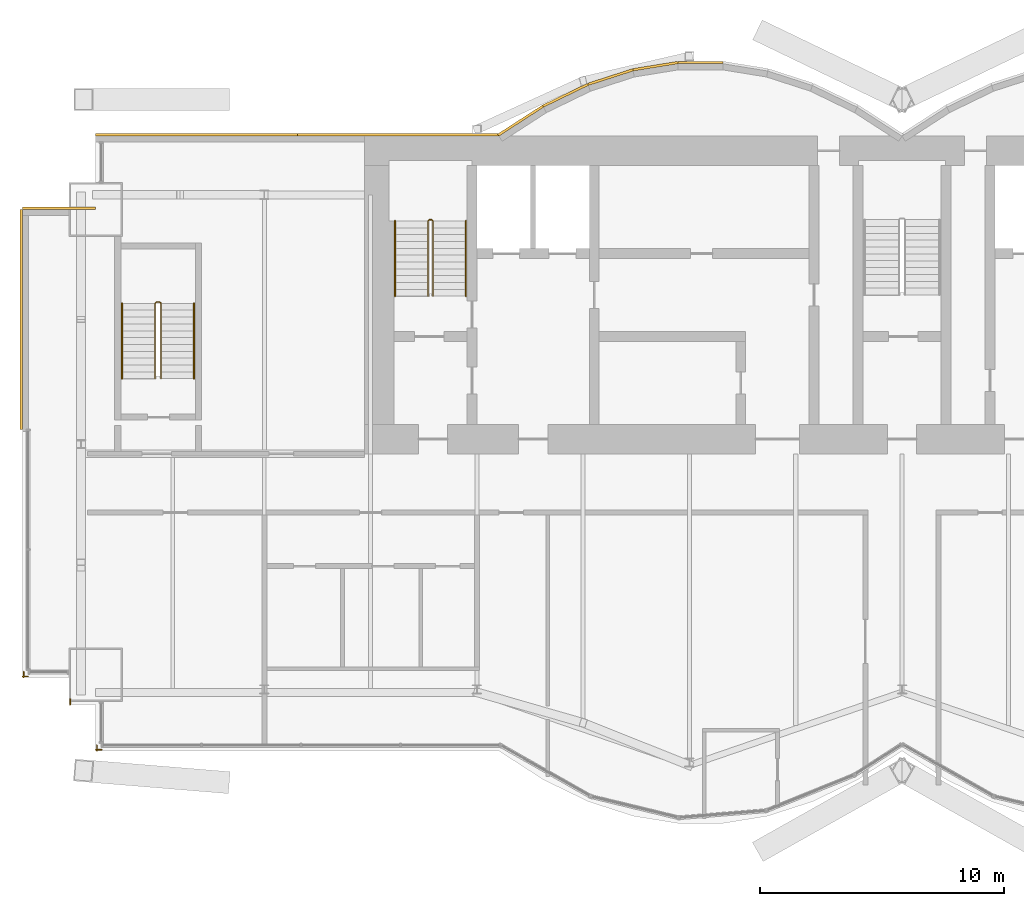
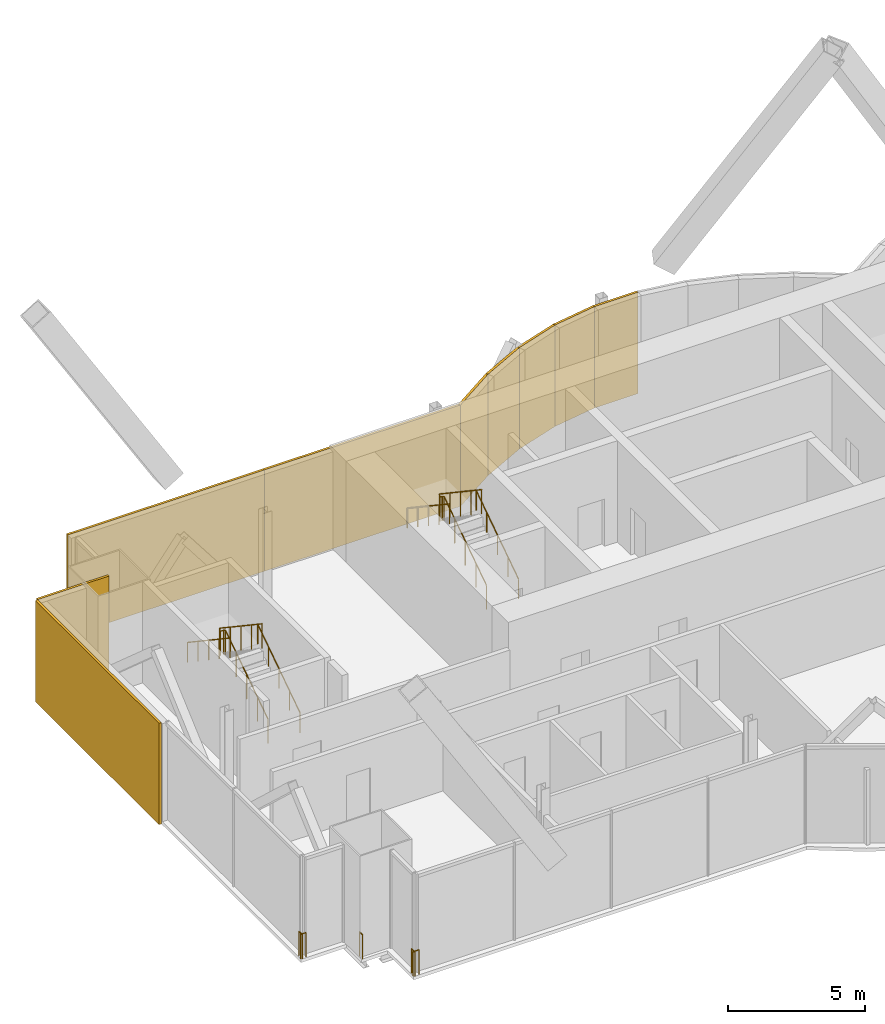
# One storey, part 15 of 17: 9 coverings, 9 railings.
"""IFC4 building model written with IfcOpenShell, lengths in metres."""

import ifcopenshell
import ifcopenshell.guid

model = None  # the IFC model being written
_history = None  # IfcOwnerHistory: only IFC2X3 demands one
_inside = {}  # id of a spatial element -> (the spatial element, [elements in it])
_under = {}  # id of a project, library or spatial element -> (it, [spatial elements below it])
_declared = {}  # id of a project -> (the project, [libraries it declares])
_typed = {}  # id of a type object -> (the type object, [elements of that type])
_made_of = {}  # id of a material, layer set ... -> (it, [elements and type objects made of it])


def new_model(schema):
    """Start an empty IFC model of exactly this schema.

    Asked for "IFC4X3", IfcOpenShell would pick the latest addendum, in which some entities
    have other attributes; the version numbers below select the first issue.
    IFC2X3 requires an IfcOwnerHistory on every rooted entity: one is made here for all.
    """
    global model, _history
    if schema == "IFC4X3":
        model = ifcopenshell.file(schema_version=(4, 3, 0, 0))
    else:
        model = ifcopenshell.file(schema=schema)
    _inside.clear()
    _under.clear()
    _declared.clear()
    _typed.clear()
    _made_of.clear()
    _history = None
    if model.schema == "IFC2X3":
        org = make("IfcOrganization", Name="unknown")
        user = make(
            "IfcPersonAndOrganization",
            ThePerson=make("IfcPerson", FamilyName="unknown"),
            TheOrganization=org,
        )
        app = make(
            "IfcApplication",
            ApplicationDeveloper=org,
            Version="unknown",
            ApplicationFullName="unknown",
            ApplicationIdentifier="unknown",
        )
        _history = make(
            "IfcOwnerHistory",
            OwningUser=user,
            OwningApplication=app,
            ChangeAction="ADDED",
            CreationDate=0,
        )
    return model


def make(cls, **values):
    """One entity of the class cls with the attributes given. An attribute that is None is left unset."""
    return model.create_entity(
        cls, **{name: value for name, value in values.items() if value is not None}
    )


def rooted(cls, **values):
    """An entity with a GlobalId (a new one), such as an element, a storey or a relation."""
    return make(cls, GlobalId=ifcopenshell.guid.new(), OwnerHistory=_history, **values)


def si_unit(unit_type, name, prefix=None):
    """IfcSIUnit, for example si_unit("LENGTHUNIT", "METRE", prefix="MILLI")."""
    return make("IfcSIUnit", UnitType=unit_type, Prefix=prefix, Name=name)


def assignment(units):
    """IfcUnitAssignment: the units of a project."""
    return None if units is None else make("IfcUnitAssignment", Units=units)


def point(xyz):
    """IfcCartesianPoint."""
    return None if xyz is None else make("IfcCartesianPoint", Coordinates=xyz)


def direction(xyz):
    """IfcDirection."""
    return None if xyz is None else make("IfcDirection", DirectionRatios=xyz)


def frame(location, z_axis=None, x_axis=None):
    """IfcAxis2Placement3D, a coordinate frame: its origin and axes. An axis left out is left unset."""
    return make(
        "IfcAxis2Placement3D",
        Location=point(location),
        Axis=direction(z_axis),
        RefDirection=direction(x_axis),
    )


def frame_2d(location, x_axis=None):
    """IfcAxis2Placement2D, a coordinate frame in the plane: its origin and x axis."""
    return make(
        "IfcAxis2Placement2D", Location=point(location), RefDirection=direction(x_axis)
    )


def origin():
    """The frame at (0, 0, 0) with its axes left unset."""
    return frame((0.0, 0.0, 0.0))


def origin_2d():
    """The frame at (0, 0) in the plane with its x axis left unset."""
    return frame_2d((0.0, 0.0))


def place(relative_to, where):
    """IfcLocalPlacement: puts the frame where relative to a parent placement (None: the world)."""
    return make(
        "IfcLocalPlacement", PlacementRelTo=relative_to, RelativePlacement=where
    )


def context(
    kind, dimensions, precision=None, world=None, true_north=None, identifier=None
):
    """IfcGeometricRepresentationContext, for example the 3D "Model" context."""
    return make(
        "IfcGeometricRepresentationContext",
        ContextIdentifier=identifier,
        ContextType=kind,
        CoordinateSpaceDimension=dimensions,
        Precision=precision,
        WorldCoordinateSystem=world,
        TrueNorth=true_north,
    )


def subcontext(parent, identifier, kind, view, scale=None):
    """IfcGeometricRepresentationSubContext, for example "Body" below "Model"."""
    return make(
        "IfcGeometricRepresentationSubContext",
        ContextIdentifier=identifier,
        ContextType=kind,
        ParentContext=parent,
        TargetScale=scale,
        TargetView=view,
    )


def project(units=None, contexts=None):
    """IfcProject with its units and contexts."""
    return rooted(
        "IfcProject",
        Name="project",
        RepresentationContexts=contexts,
        UnitsInContext=assignment(units),
    )


def spatial(cls, under=None, at=None, **own):
    """A site, building, storey or space (cls), placed at a placement, below another one or the project."""
    s = rooted(cls, ObjectPlacement=at, **own)
    if under is not None:
        _under.setdefault(under.id(), (under, []))[1].append(s)
    return s


def profile(cls, at=None, kind="AREA", **sizes):
    """A parametric profile (cls). Its sizes go by their IFC names, for example OverallWidth=200.0."""
    return make(cls, ProfileType=kind, Position=at, **sizes)


def rectangle(**sizes):
    """IfcRectangleProfileDef."""
    return profile("IfcRectangleProfileDef", **sizes)


def circle(**sizes):
    """IfcCircleProfileDef."""
    return profile("IfcCircleProfileDef", **sizes)


def extrude(swept, where, along, depth):
    """IfcExtrudedAreaSolid: the profile swept, set in the frame where, extruded along a direction by depth."""
    return make(
        "IfcExtrudedAreaSolid",
        SweptArea=swept,
        Position=where,
        ExtrudedDirection=direction(along),
        Depth=depth,
    )


def shape(context_of_items, identifier, shape_type, items):
    """IfcShapeRepresentation: the items that make up one representation, for example the "Body"."""
    return make(
        "IfcShapeRepresentation",
        ContextOfItems=context_of_items,
        RepresentationIdentifier=identifier,
        RepresentationType=shape_type,
        Items=items,
    )


def material(Name=None, Category=None):
    """IfcMaterial."""
    return make("IfcMaterial", Name=Name, Category=Category)


def layer(
    of_material, thickness, ventilated=None, Name=None, Category=None, Priority=None
):
    """IfcMaterialLayer: one layer of a wall or slab, of a material (None: an air gap)."""
    return make(
        "IfcMaterialLayer",
        Material=of_material,
        LayerThickness=thickness,
        IsVentilated=ventilated,
        Name=Name,
        Category=Category,
        Priority=Priority,
    )


def layer_set(layers, Name=None):
    """IfcMaterialLayerSet."""
    return make("IfcMaterialLayerSet", MaterialLayers=layers, LayerSetName=Name)


def made_of(thing, what):
    """Note that an element or type object is made of a material, layer set ...; save() writes the relation."""
    if what is not None:
        _made_of.setdefault(what.id(), (what, []))[1].append(thing)
    return thing


def type_object(cls, material=None, **own):
    """A type object (cls), such as IfcWallType, which elements share."""
    return made_of(rooted(cls, **own), material)


def element(
    cls,
    number,
    at=None,
    inside=None,
    cuts=None,
    type_object=None,
    material=None,
    context=None,
    identifier="Body",
    shape_type=None,
    held_by="IfcProductDefinitionShape",
    body=None,
    shapes=None,
    **own,
):
    """One element of the class cls, such as IfcWall. Its Tag is "e" and its number.

    at: its placement. inside: the storey or other place that contains it. cuts: it is an
    opening in that element (IfcRelVoidsElement). A single representation is given by context,
    identifier, shape_type and body (its items); several are given by shapes. held_by: the class
    of the entity that holds the representations. save() writes the other relations.
    """
    e = rooted(cls, Tag="e%d" % number, ObjectPlacement=at, **own)
    if body is not None:
        shapes = [shape(context, identifier, shape_type, body)]
    if shapes is not None:
        e.Representation = make(held_by, Representations=shapes)
    if inside is not None:
        _inside.setdefault(inside.id(), (inside, []))[1].append(e)
    if cuts is not None:
        rooted(
            "IfcRelVoidsElement", RelatingBuildingElement=cuts, RelatedOpeningElement=e
        )
    if type_object is not None:
        _typed.setdefault(type_object.id(), (type_object, []))[1].append(e)
    return made_of(e, material)


def aggregate(whole, parts):
    """IfcRelAggregates: a whole, such as a stair, and the parts it consists of."""
    return rooted("IfcRelAggregates", RelatingObject=whole, RelatedObjects=parts)


def save(model, path):
    """Write the relations noted so far, then the file.

    IfcRelAggregates (storeys below a building ...), IfcRelContainedInSpatialStructure (elements
    in a storey), IfcRelDefinesByType, IfcRelAssociatesMaterial and IfcRelDeclares: one each for
    every whole, place, type object, material and project.
    """
    for whole, parts in _under.values():
        aggregate(whole, parts)
    for where, things in _inside.values():
        rooted(
            "IfcRelContainedInSpatialStructure",
            RelatedElements=things,
            RelatingStructure=where,
        )
    for kind, things in _typed.values():
        rooted("IfcRelDefinesByType", RelatedObjects=things, RelatingType=kind)
    for what, things in _made_of.values():
        rooted("IfcRelAssociatesMaterial", RelatedObjects=things, RelatingMaterial=what)
    for by, libraries in _declared.values():
        rooted("IfcRelDeclares", RelatingContext=by, RelatedDefinitions=libraries)
    model.write(path)


model = new_model("IFC4")

# Units and contexts
model_context = context("Model", 3, precision=1e-05, world=origin(), true_north=direction((0.0, 1.0)))
body_context = subcontext(model_context, "Body", "Model", "MODEL_VIEW")
ifc_project = project(units=[si_unit("LENGTHUNIT", "METRE"), si_unit("AREAUNIT", "SQUARE_METRE"), si_unit("VOLUMEUNIT", "CUBIC_METRE"), si_unit("PLANEANGLEUNIT", "RADIAN"), si_unit("MASSUNIT", "GRAM", prefix="KILO")], contexts=[model_context])

# Site, building, storey
site_placement = place(None, origin())
site = spatial("IfcSite", under=ifc_project, at=site_placement, CompositionType="ELEMENT")
building_placement = place(site_placement, origin())
building = spatial("IfcBuilding", under=site, at=building_placement, Name="Bicima Exchange Tower", CompositionType="ELEMENT")
storey_placement = place(building_placement, frame((0.0, 0.0, 333.5)))
storey = spatial("IfcBuildingStorey", under=building, at=storey_placement, Name="L75", CompositionType="ELEMENT", Elevation=333.5)

# Coverings
ifc_material_1 = material(Name="Bronze metal cladding")
ifc_layer_1 = layer(ifc_material_1, 0.004)
ifc_material_2 = material(Name="Ventilated cavity")
ifc_layer_2 = layer(ifc_material_2, 0.06)
ifc_material_3 = material(Name="Galvanised steel rail and mineral wool", Category="steel")
ifc_layer_3 = layer(ifc_material_3, 0.036)
ifc_layer_set = layer_set([ifc_layer_1, ifc_layer_2, ifc_layer_3], Name="Ventilated cavity")
covering_type = type_object("IfcCoveringType", Name="Bronze metal cladding panel 100", PredefinedType="CLADDING", material=ifc_layer_set)
covering_1_placement = place(storey_placement, frame((-8.25, 3.012939453125, -0.14990234375), z_axis=(0.0, 0.0, 1.0), x_axis=(-1.0, 0.0, 0.0)))
element("IfcCovering", 1, at=covering_1_placement, inside=storey, type_object=covering_type, Name="Bronze cladding L75 15.1", PredefinedType="CLADDING", context=body_context, shape_type="SweptSolid", body=[
    extrude(rectangle(XDim=1.83349609375, YDim=0.10009765625, at=origin_2d()), origin(), (0.0, 0.0, 1.0), 4.5),
])
covering_2_placement = place(storey_placement, frame((-10.09130859375, 2.8642578125, -0.14990234375), z_axis=(0.0, 0.0, 1.0), x_axis=(-0.987189786347, -0.159550386184, 0.0)))
element("IfcCovering", 2, at=covering_2_placement, inside=storey, type_object=covering_type, Name="Bronze cladding L75 16.1", PredefinedType="CLADDING", context=body_context, shape_type="SweptSolid", body=[
    extrude(rectangle(XDim=1.857177734375, YDim=0.10009765625, at=origin_2d()), origin(), (0.0, 0.0, 1.0), 4.5),
])
covering_3_placement = place(storey_placement, frame((-11.931884765625, 2.41796875, -0.14990234375), z_axis=(0.0, 0.0, 1.0), x_axis=(-0.951524642381, -0.307572519808, 0.0)))
element("IfcCovering", 3, at=covering_3_placement, inside=storey, type_object=covering_type, Name="Bronze cladding L75 17.1", PredefinedType="CLADDING", context=body_context, shape_type="SweptSolid", body=[
    extrude(rectangle(XDim=1.9267578125, YDim=0.10009765625, at=origin_2d()), origin(), (0.0, 0.0, 1.0), 4.5),
])
covering_4_placement = place(storey_placement, frame((-13.771728515625, 1.674560546875, -0.14990234375), z_axis=(0.0, 0.0, 1.0), x_axis=(-0.899818346812, -0.436264762204, 0.0)))
element("IfcCovering", 4, at=covering_4_placement, inside=storey, type_object=covering_type, Name="Bronze cladding L75 18.1", PredefinedType="CLADDING", context=body_context, shape_type="SweptSolid", body=[
    extrude(rectangle(XDim=2.03759765625, YDim=0.10009765625, at=origin_2d()), origin(), (0.0, 0.0, 1.0), 4.5),
])
covering_5_placement = place(storey_placement, frame((-15.610595703125, 0.634521484375, -0.14990234375), z_axis=(0.0, 0.0, 1.0), x_axis=(-0.839790466384, -0.542910648791, 0.0)))
element("IfcCovering", 5, at=covering_5_placement, inside=storey, type_object=covering_type, Name="Bronze cladding L75 19.1", PredefinedType="CLADDING", context=body_context, shape_type="SweptSolid", body=[
    extrude(rectangle(XDim=2.18310546875, YDim=0.10009765625, at=origin_2d()), origin(), (0.0, 0.0, 1.0), 4.5),
])
for number, where, z_axis, x_axis, name in (
    (6, (-20.625, 0.050048828125, -0.14990234375), (0.0, 0.0, 1.0), (-1.0, 0.0, 0.0), "Bronze cladding L75 20.1"),
    (7, (-28.875, 0.050048828125, -0.14990234375), (0.0, 0.0, 1.0), (-1.0, 0.0, 0.0), "Bronze cladding L75 20.2"),
):
    element("IfcCovering", number, at=place(storey_placement, frame(where, z_axis=z_axis, x_axis=x_axis)), inside=storey, type_object=covering_type, Name=name, PredefinedType="CLADDING", context=body_context, shape_type="SweptSolid", body=[
        extrude(rectangle(XDim=8.25, YDim=0.10009765625, at=origin_2d()), origin(), (0.0, 0.0, 1.0), 4.5),
    ])
covering_6_placement = place(storey_placement, frame((-34.5, -2.949951171875, -0.14990234375), z_axis=(0.0, 0.0, 1.0), x_axis=(-1.0, 0.0, 0.0)))
element("IfcCovering", 8, at=covering_6_placement, inside=storey, type_object=covering_type, Name="Bronze cladding L75 22.1", PredefinedType="CLADDING", context=body_context, shape_type="SweptSolid", body=[
    extrude(rectangle(XDim=3.0, YDim=0.10009765625, at=origin_2d()), origin(), (0.0, 0.0, 1.0), 4.5),
])
covering_7_placement = place(storey_placement, frame((-36.050048828125, -7.5, -0.14990234375), z_axis=(0.0, 0.0, 1.0), x_axis=(0.0, -1.0, 0.0)))
element("IfcCovering", 9, at=covering_7_placement, inside=storey, type_object=covering_type, Name="Bronze cladding L75 23.1", PredefinedType="CLADDING", context=body_context, shape_type="SweptSolid", body=[
    extrude(rectangle(XDim=9.0, YDim=0.10009765625, at=origin_2d()), origin(), (0.0, 0.0, 1.0), 4.5),
])

# Railings
ifc_material_4 = material(Name="Stainless steel and bonded safety glass", Category="steel")
railing_type_1 = type_object("IfcRailingType", Name="Edge guard 1100", PredefinedType="GUARDRAIL", material=ifc_material_4)
railing_1_placement = place(storey_placement, frame((-35.762939453125, -22.114013671875, 0.0)))
element("IfcRailing", 10, at=railing_1_placement, inside=storey, type_object=railing_type_1, Name="Edge guard L75 391", PredefinedType="GUARDRAIL", context=body_context, shape_type="SweptSolid", body=[
    extrude(circle(Radius=0.02392578125, at=origin_2d()), frame((0.0, 0.0, 1.076171875), z_axis=(-1.0, 0.0, 0.0), x_axis=(0.0, -1.0, 0.0)), (0.0, 0.0, 1.0), 0.237060546875),
    extrude(circle(Radius=0.02392578125, at=origin_2d()), frame((-0.237060546875, 0.0, 1.076171875), z_axis=(0.707106781187, -0.707106781187, 0.0), x_axis=(0.707106781187, 0.707106781187, 0.0)), (0.0, 0.0, 1.0), 0.07080078125),
    extrude(circle(Radius=0.02392578125, at=origin_2d()), frame((-0.18701171875, -0.050048828125, 1.076171875), z_axis=(0.0, 1.0, 0.0), x_axis=(-1.0, 0.0, 0.0)), (0.0, 0.0, 1.0), 0.2490234375),
    extrude(circle(Radius=0.02099609375, at=origin_2d()), origin(), (0.0, 0.0, 1.0), 1.052001953125),
    extrude(circle(Radius=0.02099609375, at=origin_2d()), frame((-0.237060546875, 0.0, 0.0)), (0.0, 0.0, 1.0), 1.052001953125),
    extrude(circle(Radius=0.02099609375, at=origin_2d()), frame((-0.18701171875, -0.050048828125, 0.0)), (0.0, 0.0, 1.0), 1.052001953125),
    extrude(circle(Radius=0.02099609375, at=origin_2d()), frame((-0.18701171875, 0.198974609375, 0.0)), (0.0, 0.0, 1.0), 1.052001953125),
])
railing_2_placement = place(storey_placement, frame((-32.75, -25.114013671875, 0.0)))
element("IfcRailing", 11, at=railing_2_placement, inside=storey, type_object=railing_type_1, Name="Edge guard L75 395", PredefinedType="GUARDRAIL", context=body_context, shape_type="SweptSolid", body=[
    extrude(circle(Radius=0.02392578125, at=origin_2d()), frame((0.0, 0.0, 1.076171875), z_axis=(-1.0, 0.0, 0.0), x_axis=(0.0, -1.0, 0.0)), (0.0, 0.0, 1.0), 0.25),
    extrude(circle(Radius=0.02392578125, at=origin_2d()), frame((-0.25, 0.0, 1.076171875), z_axis=(0.707106781187, -0.707106781187, 0.0), x_axis=(0.707106781187, 0.707106781187, 0.0)), (0.0, 0.0, 1.0), 0.07080078125),
    extrude(circle(Radius=0.02392578125, at=origin_2d()), frame((-0.199951171875, -0.050048828125, 1.076171875), z_axis=(0.0, 1.0, 0.0), x_axis=(-1.0, 0.0, 0.0)), (0.0, 0.0, 1.0), 0.237060546875),
    extrude(circle(Radius=0.02099609375, at=origin_2d()), origin(), (0.0, 0.0, 1.0), 1.052001953125),
    extrude(circle(Radius=0.02099609375, at=origin_2d()), frame((-0.25, 0.0, 0.0)), (0.0, 0.0, 1.0), 1.052001953125),
    extrude(circle(Radius=0.02099609375, at=origin_2d()), frame((-0.199951171875, -0.050048828125, 0.0)), (0.0, 0.0, 1.0), 1.052001953125),
    extrude(circle(Radius=0.02099609375, at=origin_2d()), frame((-0.199951171875, 0.18701171875, 0.0)), (0.0, 0.0, 1.0), 1.052001953125),
])
railing_3_placement = place(storey_placement, frame((-34.050048828125, -23.263916015625, 0.0)))
element("IfcRailing", 12, at=railing_3_placement, inside=storey, type_object=railing_type_1, Name="Edge guard L75 396", PredefinedType="GUARDRAIL", context=body_context, shape_type="SweptSolid", body=[
    extrude(circle(Radius=0.02392578125, at=origin_2d()), frame((0.0, 0.0, 1.076171875), z_axis=(0.0, 1.0, 0.0), x_axis=(-1.0, 0.0, 0.0)), (0.0, 0.0, 1.0), 0.219970703125),
    extrude(circle(Radius=0.02099609375, at=origin_2d()), origin(), (0.0, 0.0, 1.0), 1.052001953125),
    extrude(circle(Radius=0.02099609375, at=origin_2d()), frame((0.0, 0.219970703125, 0.0)), (0.0, 0.0, 1.0), 1.052001953125),
])
ifc_material_5 = material(Name="Stainless steel", Category="steel")
railing_type_2 = type_object("IfcRailingType", Name="Stair guard 1100", PredefinedType="GUARDRAIL", material=ifc_material_5)
railing_4_placement = place(storey_placement, frame((-19.199951171875, -6.550048828125, 0.1875)))
element("IfcRailing", 13, at=railing_4_placement, inside=storey, type_object=railing_type_2, Name="L75 ST-W stair guard 1", PredefinedType="GUARDRAIL", context=body_context, shape_type="SweptSolid", body=[
    extrude(circle(Radius=0.02392578125, at=origin_2d()), frame((0.0, 0.0, 1.076171875), z_axis=(0.0, 0.830913701846, 0.55640131208), x_axis=(-1.0, 0.0, 0.0)), (0.0, 0.0, 1.0), 3.706787109375),
    extrude(circle(Radius=0.02392578125, at=origin_2d()), frame((0.0, 3.080078125, 3.138671875), z_axis=(-0.707106781187, 0.707106781187, 0.0), x_axis=(-0.707106781187, -0.707106781187, 0.0)), (0.0, 0.0, 1.0), 0.07080078125),
    extrude(circle(Radius=0.02392578125, at=origin_2d()), frame((-0.050048828125, 3.130126953125, 3.138671875), z_axis=(-1.0, 0.0, 0.0), x_axis=(0.0, -1.0, 0.0)), (0.0, 0.0, 1.0), 0.10009765625),
    extrude(circle(Radius=0.02392578125, at=origin_2d()), frame((-0.150146484375, 3.130126953125, 3.138671875), z_axis=(-0.248583702486, -0.249802250048, 0.935844527007), x_axis=(0.708833529934, -0.705375805398, 0.0)), (0.0, 0.0, 1.0), 0.200439453125),
    extrude(circle(Radius=0.02392578125, at=origin_2d()), frame((-0.199951171875, 3.080078125, 3.326171875), z_axis=(0.0, -0.830913701846, 0.55640131208), x_axis=(1.0, 0.0, 0.0)), (0.0, 0.0, 1.0), 3.706787109375),
    extrude(circle(Radius=0.02099609375, at=origin_2d()), origin(), (0.0, 0.0, 1.0), 1.052001953125),
    extrude(circle(Radius=0.02099609375, at=origin_2d()), frame((0.0, 0.77001953125, 0.515625)), (0.0, 0.0, 1.0), 1.052001953125),
    extrude(circle(Radius=0.02099609375, at=origin_2d()), frame((0.0, 1.5400390625, 1.03125)), (0.0, 0.0, 1.0), 1.052001953125),
    extrude(circle(Radius=0.02099609375, at=origin_2d()), frame((0.0, 2.31005859375, 1.546875)), (0.0, 0.0, 1.0), 1.052001953125),
    extrude(circle(Radius=0.02099609375, at=origin_2d()), frame((0.0, 3.080078125, 2.0625)), (0.0, 0.0, 1.0), 1.052001953125),
    extrude(circle(Radius=0.02099609375, at=origin_2d()), frame((-0.050048828125, 3.130126953125, 2.0625)), (0.0, 0.0, 1.0), 1.052001953125),
    extrude(circle(Radius=0.02099609375, at=origin_2d()), frame((-0.150146484375, 3.130126953125, 2.0625)), (0.0, 0.0, 1.0), 1.052001953125),
    extrude(circle(Radius=0.02099609375, at=origin_2d()), frame((-0.199951171875, 3.080078125, 2.25)), (0.0, 0.0, 1.0), 1.052001953125),
    extrude(circle(Radius=0.02099609375, at=origin_2d()), frame((-0.199951171875, 2.31005859375, 2.765625)), (0.0, 0.0, 1.0), 1.052001953125),
    extrude(circle(Radius=0.02099609375, at=origin_2d()), frame((-0.199951171875, 1.5400390625, 3.28125)), (0.0, 0.0, 1.0), 1.052001953125),
    extrude(circle(Radius=0.02099609375, at=origin_2d()), frame((-0.199951171875, 0.77001953125, 3.796875)), (0.0, 0.0, 1.0), 1.052001953125),
    extrude(circle(Radius=0.02099609375, at=origin_2d()), frame((-0.199951171875, 0.0, 4.3125)), (0.0, 0.0, 1.0), 1.052001953125),
])
railing_5_placement = place(storey_placement, frame((-30.324951171875, -9.925048828125, 0.1875)))
element("IfcRailing", 14, at=railing_5_placement, inside=storey, type_object=railing_type_2, Name="L75 ST-WW stair guard 1", PredefinedType="GUARDRAIL", context=body_context, shape_type="SweptSolid", body=[
    extrude(circle(Radius=0.02392578125, at=origin_2d()), frame((0.0, 0.0, 1.076171875), z_axis=(0.0, 0.830913701846, 0.55640131208), x_axis=(-1.0, 0.0, 0.0)), (0.0, 0.0, 1.0), 3.706787109375),
    extrude(circle(Radius=0.02392578125, at=origin_2d()), frame((0.0, 3.080078125, 3.138671875), z_axis=(-0.707106781187, 0.707106781187, 0.0), x_axis=(-0.707106781187, -0.707106781187, 0.0)), (0.0, 0.0, 1.0), 0.07080078125),
    extrude(circle(Radius=0.02392578125, at=origin_2d()), frame((-0.050048828125, 3.130126953125, 3.138671875), z_axis=(-1.0, 0.0, 0.0), x_axis=(0.0, -1.0, 0.0)), (0.0, 0.0, 1.0), 0.14990234375),
    extrude(circle(Radius=0.02392578125, at=origin_2d()), frame((-0.199951171875, 3.130126953125, 3.138671875), z_axis=(-0.249726431254, -0.249726431254, 0.935560483917), x_axis=(0.707106781187, -0.707106781187, 0.0)), (0.0, 0.0, 1.0), 0.200439453125),
    extrude(circle(Radius=0.02392578125, at=origin_2d()), frame((-0.25, 3.080078125, 3.326171875), z_axis=(0.0, -0.830913701846, 0.55640131208), x_axis=(1.0, 0.0, 0.0)), (0.0, 0.0, 1.0), 3.706787109375),
    extrude(circle(Radius=0.02099609375, at=origin_2d()), origin(), (0.0, 0.0, 1.0), 1.052001953125),
    extrude(circle(Radius=0.02099609375, at=origin_2d()), frame((0.0, 0.77001953125, 0.515625)), (0.0, 0.0, 1.0), 1.052001953125),
    extrude(circle(Radius=0.02099609375, at=origin_2d()), frame((0.0, 1.5400390625, 1.03125)), (0.0, 0.0, 1.0), 1.052001953125),
    extrude(circle(Radius=0.02099609375, at=origin_2d()), frame((0.0, 2.31005859375, 1.546875)), (0.0, 0.0, 1.0), 1.052001953125),
    extrude(circle(Radius=0.02099609375, at=origin_2d()), frame((0.0, 3.080078125, 2.0625)), (0.0, 0.0, 1.0), 1.052001953125),
    extrude(circle(Radius=0.02099609375, at=origin_2d()), frame((-0.050048828125, 3.130126953125, 2.0625)), (0.0, 0.0, 1.0), 1.052001953125),
    extrude(circle(Radius=0.02099609375, at=origin_2d()), frame((-0.199951171875, 3.130126953125, 2.0625)), (0.0, 0.0, 1.0), 1.052001953125),
    extrude(circle(Radius=0.02099609375, at=origin_2d()), frame((-0.25, 3.080078125, 2.25)), (0.0, 0.0, 1.0), 1.052001953125),
    extrude(circle(Radius=0.02099609375, at=origin_2d()), frame((-0.25, 2.31005859375, 2.765625)), (0.0, 0.0, 1.0), 1.052001953125),
    extrude(circle(Radius=0.02099609375, at=origin_2d()), frame((-0.25, 1.5400390625, 3.28125)), (0.0, 0.0, 1.0), 1.052001953125),
    extrude(circle(Radius=0.02099609375, at=origin_2d()), frame((-0.25, 0.77001953125, 3.796875)), (0.0, 0.0, 1.0), 1.052001953125),
    extrude(circle(Radius=0.02099609375, at=origin_2d()), frame((-0.25, 0.0, 4.3125)), (0.0, 0.0, 1.0), 1.052001953125),
])
railing_type_3 = type_object("IfcRailingType", Name="Stair handrail 900", PredefinedType="HANDRAIL", material=ifc_material_5)
railing_6_placement = place(storey_placement, frame((-17.85009765625, -6.550048828125, 0.1875)))
element("IfcRailing", 15, at=railing_6_placement, inside=storey, type_object=railing_type_3, Name="L75 ST-W stair handrail 1", PredefinedType="HANDRAIL", context=body_context, shape_type="SweptSolid", body=[
    extrude(circle(Radius=0.02392578125, at=origin_2d()), frame((0.0, 0.0, 0.8759765625), z_axis=(0.0, 0.830913701846, 0.55640131208), x_axis=(-1.0, 0.0, 0.0)), (0.0, 0.0, 1.0), 3.706787109375),
    extrude(circle(Radius=0.02099609375, at=origin_2d()), origin(), (0.0, 0.0, 1.0), 0.851806640625),
    extrude(circle(Radius=0.02099609375, at=origin_2d()), frame((0.0, 0.77001953125, 0.515625)), (0.0, 0.0, 1.0), 0.851806640625),
    extrude(circle(Radius=0.02099609375, at=origin_2d()), frame((0.0, 1.5400390625, 1.03125)), (0.0, 0.0, 1.0), 0.851806640625),
    extrude(circle(Radius=0.02099609375, at=origin_2d()), frame((0.0, 2.31005859375, 1.546875)), (0.0, 0.0, 1.0), 0.851806640625),
    extrude(circle(Radius=0.02099609375, at=origin_2d()), frame((0.0, 3.080078125, 2.0625)), (0.0, 0.0, 1.0), 0.851806640625),
])
railing_7_placement = place(storey_placement, frame((-20.75, -3.469970703125, 2.47900390625)))
element("IfcRailing", 16, at=railing_7_placement, inside=storey, type_object=railing_type_3, Name="L75 ST-W stair handrail 2", PredefinedType="HANDRAIL", context=body_context, shape_type="SweptSolid", body=[
    extrude(circle(Radius=0.02392578125, at=origin_2d()), frame((0.0, 0.0, 0.8759765625), z_axis=(0.0, -0.830913701846, 0.55640131208), x_axis=(1.0, 0.0, 0.0)), (0.0, 0.0, 1.0), 3.706787109375),
    extrude(circle(Radius=0.02099609375, at=origin_2d()), origin(), (0.0, 0.0, 1.0), 0.851806640625),
    extrude(circle(Radius=0.02099609375, at=origin_2d()), frame((0.0, -0.77001953125, 0.515625)), (0.0, 0.0, 1.0), 0.851806640625),
    extrude(circle(Radius=0.02099609375, at=origin_2d()), frame((0.0, -1.5400390625, 1.03125)), (0.0, 0.0, 1.0), 0.851806640625),
    extrude(circle(Radius=0.02099609375, at=origin_2d()), frame((0.0, -2.31005859375, 1.546875)), (0.0, 0.0, 1.0), 0.851806640625),
    extrude(circle(Radius=0.02099609375, at=origin_2d()), frame((0.0, -3.080078125, 2.0625)), (0.0, 0.0, 1.0), 0.851806640625),
])
railing_8_placement = place(storey_placement, frame((-28.97509765625, -9.925048828125, 0.1875)))
element("IfcRailing", 17, at=railing_8_placement, inside=storey, type_object=railing_type_3, Name="L75 ST-WW stair handrail 1", PredefinedType="HANDRAIL", context=body_context, shape_type="SweptSolid", body=[
    extrude(circle(Radius=0.02392578125, at=origin_2d()), frame((0.0, 0.0, 0.8759765625), z_axis=(0.0, 0.830913701846, 0.55640131208), x_axis=(-1.0, 0.0, 0.0)), (0.0, 0.0, 1.0), 3.706787109375),
    extrude(circle(Radius=0.02099609375, at=origin_2d()), origin(), (0.0, 0.0, 1.0), 0.851806640625),
    extrude(circle(Radius=0.02099609375, at=origin_2d()), frame((0.0, 0.77001953125, 0.515625)), (0.0, 0.0, 1.0), 0.851806640625),
    extrude(circle(Radius=0.02099609375, at=origin_2d()), frame((0.0, 1.5400390625, 1.03125)), (0.0, 0.0, 1.0), 0.851806640625),
    extrude(circle(Radius=0.02099609375, at=origin_2d()), frame((0.0, 2.31005859375, 1.546875)), (0.0, 0.0, 1.0), 0.851806640625),
    extrude(circle(Radius=0.02099609375, at=origin_2d()), frame((0.0, 3.080078125, 2.0625)), (0.0, 0.0, 1.0), 0.851806640625),
])
railing_9_placement = place(storey_placement, frame((-31.925048828125, -6.844970703125, 2.47900390625)))
element("IfcRailing", 18, at=railing_9_placement, inside=storey, type_object=railing_type_3, Name="L75 ST-WW stair handrail 2", PredefinedType="HANDRAIL", context=body_context, shape_type="SweptSolid", body=[
    extrude(circle(Radius=0.02392578125, at=origin_2d()), frame((0.0, 0.0, 0.8759765625), z_axis=(0.0, -0.830913701846, 0.55640131208), x_axis=(1.0, 0.0, 0.0)), (0.0, 0.0, 1.0), 3.706787109375),
    extrude(circle(Radius=0.02099609375, at=origin_2d()), origin(), (0.0, 0.0, 1.0), 0.851806640625),
    extrude(circle(Radius=0.02099609375, at=origin_2d()), frame((0.0, -0.77001953125, 0.515625)), (0.0, 0.0, 1.0), 0.851806640625),
    extrude(circle(Radius=0.02099609375, at=origin_2d()), frame((0.0, -1.5400390625, 1.03125)), (0.0, 0.0, 1.0), 0.851806640625),
    extrude(circle(Radius=0.02099609375, at=origin_2d()), frame((0.0, -2.31005859375, 1.546875)), (0.0, 0.0, 1.0), 0.851806640625),
    extrude(circle(Radius=0.02099609375, at=origin_2d()), frame((0.0, -3.080078125, 2.0625)), (0.0, 0.0, 1.0), 0.851806640625),
])

save(model, "model.ifc")
